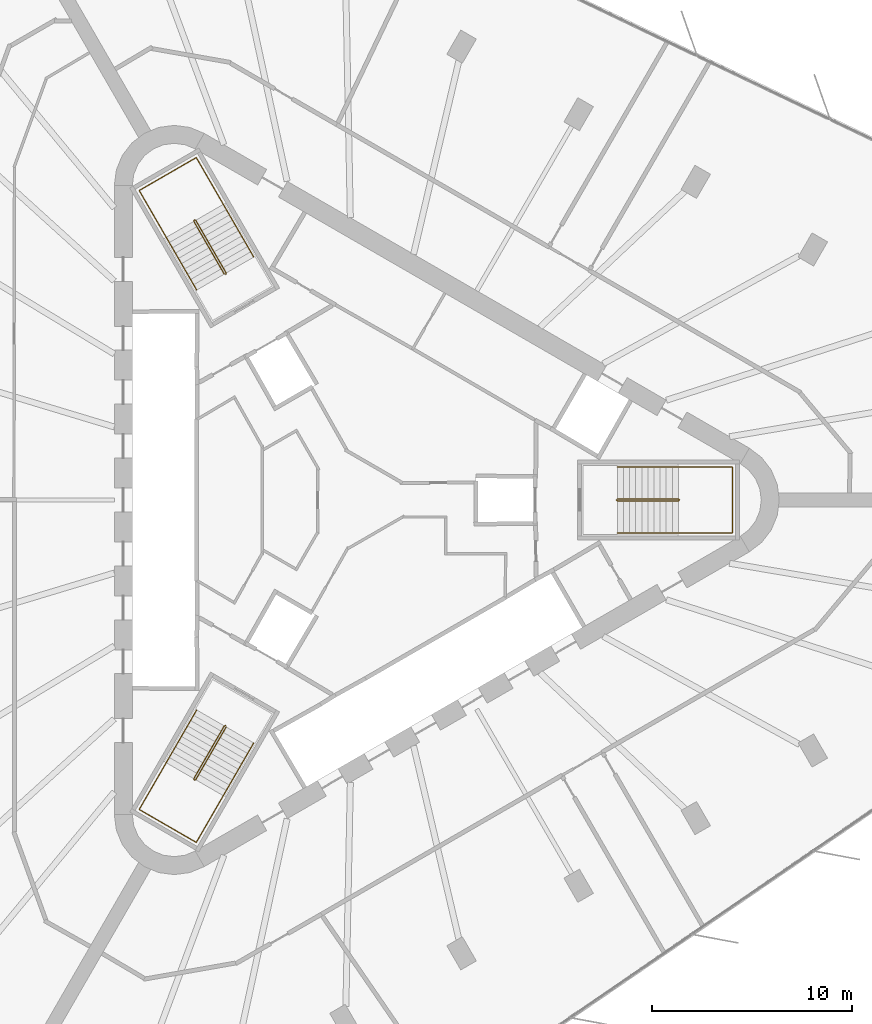
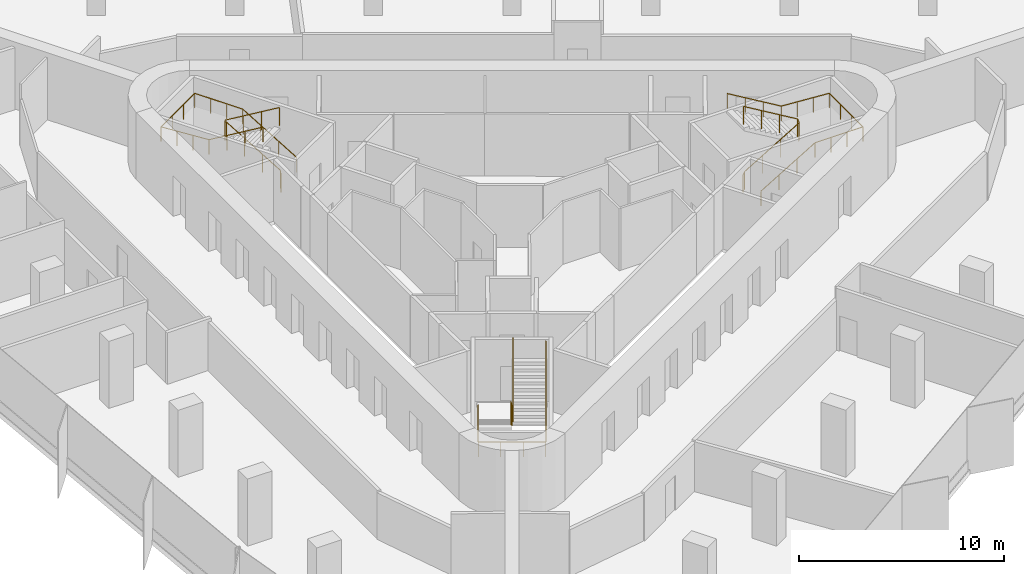
# One storey, part 13 of 13: 6 railings.
"""IFC4 building model written with IfcOpenShell, lengths in metres."""

from ifc_helpers import new_model, si_unit, direction, frame, origin, origin_2d, place, context, subcontext, project, spatial, circle, extrude, material, type_object, element, save


model = new_model("IFC4")

# Units and contexts
model_context = context("Model", 3, precision=1e-05, world=origin(), true_north=direction((0.0, 1.0)))
body_context = subcontext(model_context, "Body", "Model", "MODEL_VIEW")
ifc_project = project(units=[si_unit("LENGTHUNIT", "METRE"), si_unit("AREAUNIT", "SQUARE_METRE"), si_unit("VOLUMEUNIT", "CUBIC_METRE"), si_unit("PLANEANGLEUNIT", "RADIAN"), si_unit("MASSUNIT", "GRAM", prefix="KILO")], contexts=[model_context])

# Site, building, storey
site_placement = place(None, origin())
site = spatial("IfcSite", under=ifc_project, at=site_placement, CompositionType="ELEMENT")
building_placement = place(site_placement, origin())
building = spatial("IfcBuilding", under=site, at=building_placement, Name="Tanit Gate Tower", CompositionType="ELEMENT")
storey_placement = place(building_placement, frame((0.0, 0.0, 193.199951171875)))
storey = spatial("IfcBuildingStorey", under=building, at=storey_placement, Name="L42", CompositionType="ELEMENT", Elevation=193.199951171875)

# Railings
ifc_material_1 = material(Name="Stainless steel balustrade", Category="steel")
railing_type_1 = type_object("IfcRailingType", Name="INT-STAIR-GUARD", PredefinedType="GUARDRAIL", material=ifc_material_1)
railing_1_placement = place(storey_placement, frame((13.044921875, 0.0048828125, 0.0)))
element("IfcRailing", 1, at=railing_1_placement, inside=storey, type_object=railing_type_1, Name="L42 S1 stair guard 1", PredefinedType="GUARDRAIL", context=body_context, shape_type="SweptSolid", body=[
    extrude(circle(Radius=0.02392578125, at=origin_2d()), frame((0.0, 0.0, 1.076171875), z_axis=(0.0, -1.0, 0.0), x_axis=(1.0, 0.0, 0.0)), (0.0, 0.0, 1.0), 0.009765625),
    extrude(circle(Radius=0.02392578125, at=origin_2d()), frame((0.0, -0.009765625, 1.076171875), z_axis=(0.256435381639, -0.256435381639, 0.931923704005), x_axis=(0.707106781187, 0.707106781187, 0.0)), (0.0, 0.0, 1.0), 0.195068359375),
    extrude(circle(Radius=0.02392578125, at=origin_2d()), frame((0.050048828125, -0.059814453125, 1.2578125), z_axis=(0.859041732319, 0.0, 0.511905559781), x_axis=(0.0, 1.0, 0.0)), (0.0, 0.0, 1.0), 3.5517578125),
    extrude(circle(Radius=0.02392578125, at=origin_2d()), frame((3.10107421875, -0.059814453125, 3.076171875), z_axis=(0.707106781187, 0.707106781187, 0.0), x_axis=(-0.707106781187, 0.707106781187, 0.0)), (0.0, 0.0, 1.0), 0.07080078125),
    extrude(circle(Radius=0.02392578125, at=origin_2d()), frame((3.151123046875, -0.009765625, 3.076171875), z_axis=(0.0, 1.0, 0.0), x_axis=(-1.0, 0.0, 0.0)), (0.0, 0.0, 1.0), 0.009765625),
    extrude(circle(Radius=0.02392578125, at=origin_2d()), frame((3.151123046875, 0.0, 3.076171875), z_axis=(-0.256435381639, 0.256435381639, 0.931923704005), x_axis=(-0.707106781187, -0.707106781187, 0.0)), (0.0, 0.0, 1.0), 0.195068359375),
    extrude(circle(Radius=0.02392578125, at=origin_2d()), frame((3.10107421875, 0.050048828125, 3.2578125), z_axis=(-0.859041732319, 0.0, 0.511905559781), x_axis=(0.0, -1.0, 0.0)), (0.0, 0.0, 1.0), 3.5517578125),
    extrude(circle(Radius=0.02099609375, at=origin_2d()), origin(), (0.0, 0.0, 1.0), 1.052001953125),
    extrude(circle(Radius=0.02099609375, at=origin_2d()), frame((0.0, -0.009765625, 0.0)), (0.0, 0.0, 1.0), 1.052001953125),
    extrude(circle(Radius=0.02099609375, at=origin_2d()), frame((0.050048828125, -0.059814453125, 0.181884765625)), (0.0, 0.0, 1.0), 1.052001953125),
    extrude(circle(Radius=0.02099609375, at=origin_2d()), frame((1.067138671875, -0.059814453125, 0.787841796875)), (0.0, 0.0, 1.0), 1.052001953125),
    extrude(circle(Radius=0.02099609375, at=origin_2d()), frame((2.083984375, -0.059814453125, 1.39404296875)), (0.0, 0.0, 1.0), 1.052001953125),
    extrude(circle(Radius=0.02099609375, at=origin_2d()), frame((3.10107421875, -0.059814453125, 2.0)), (0.0, 0.0, 1.0), 1.052001953125),
    extrude(circle(Radius=0.02099609375, at=origin_2d()), frame((3.151123046875, -0.009765625, 2.0)), (0.0, 0.0, 1.0), 1.052001953125),
    extrude(circle(Radius=0.02099609375, at=origin_2d()), frame((3.151123046875, 0.0, 2.0)), (0.0, 0.0, 1.0), 1.052001953125),
    extrude(circle(Radius=0.02099609375, at=origin_2d()), frame((3.10107421875, 0.050048828125, 2.181884765625)), (0.0, 0.0, 1.0), 1.052001953125),
    extrude(circle(Radius=0.02099609375, at=origin_2d()), frame((2.083984375, 0.050048828125, 2.787841796875)), (0.0, 0.0, 1.0), 1.052001953125),
    extrude(circle(Radius=0.02099609375, at=origin_2d()), frame((1.067138671875, 0.050048828125, 3.39404296875)), (0.0, 0.0, 1.0), 1.052001953125),
    extrude(circle(Radius=0.02099609375, at=origin_2d()), frame((0.050048828125, 0.050048828125, 4.0)), (0.0, 0.0, 1.0), 1.052001953125),
])
railing_2_placement = place(storey_placement, frame((-6.527099609375, 11.29345703125, 0.0)))
element("IfcRailing", 2, at=railing_2_placement, inside=storey, type_object=railing_type_1, Name="L42 S2 stair guard 1", PredefinedType="GUARDRAIL", context=body_context, shape_type="SweptSolid", body=[
    extrude(circle(Radius=0.02392578125, at=origin_2d()), frame((0.0, 0.0, 1.076171875), z_axis=(0.868243142124, 0.496138938357, 0.0), x_axis=(-0.496138938357, 0.868243142124, 0.0)), (0.0, 0.0, 1.0), 0.01171875),
    extrude(circle(Radius=0.02392578125, at=origin_2d()), frame((0.01025390625, 0.005859375, 1.076171875), z_axis=(0.093819657636, 0.350260055175, 0.93194193252), x_axis=(-0.965948051503, 0.258736085224, 0.0)), (0.0, 0.0, 1.0), 0.195068359375),
    extrude(circle(Radius=0.02392578125, at=origin_2d()), frame((0.028564453125, 0.07421875, 1.2578125), z_axis=(-0.429472220917, 0.743822504634, 0.512134448226), x_axis=(-0.866012246495, -0.500022788402, 0.0)), (0.0, 0.0, 1.0), 3.550048828125),
    extrude(circle(Radius=0.02392578125, at=origin_2d()), frame((-1.49609375, 2.71484375, 3.076171875), z_axis=(-0.965715946433, 0.259601060869, 0.0), x_axis=(-0.259601060869, -0.965715946433, 0.0)), (0.0, 0.0, 1.0), 0.070556640625),
    extrude(circle(Radius=0.02392578125, at=origin_2d()), frame((-1.564208984375, 2.733154296875, 3.076171875), z_axis=(-0.873197702015, -0.487366159264, 0.0), x_axis=(0.487366159264, -0.873197702015, 0.0)), (0.0, 0.0, 1.0), 0.011962890625),
    extrude(circle(Radius=0.02392578125, at=origin_2d()), frame((-1.57470703125, 2.727294921875, 3.076171875), z_axis=(-0.093819657636, -0.350260055175, 0.93194193252), x_axis=(0.965948051503, -0.258736085224, 0.0)), (0.0, 0.0, 1.0), 0.195068359375),
    extrude(circle(Radius=0.02392578125, at=origin_2d()), frame((-1.593017578125, 2.658935546875, 3.2578125), z_axis=(0.429472220917, -0.743822504634, 0.512134448226), x_axis=(0.866012246495, 0.500022788402, 0.0)), (0.0, 0.0, 1.0), 3.550048828125),
    extrude(circle(Radius=0.02099609375, at=origin_2d()), origin(), (0.0, 0.0, 1.0), 1.052001953125),
    extrude(circle(Radius=0.02099609375, at=origin_2d()), frame((0.01025390625, 0.005859375, 0.0)), (0.0, 0.0, 1.0), 1.052001953125),
    extrude(circle(Radius=0.02099609375, at=origin_2d()), frame((0.028564453125, 0.07421875, 0.181884765625)), (0.0, 0.0, 1.0), 1.052001953125),
    extrude(circle(Radius=0.02099609375, at=origin_2d()), frame((-0.479736328125, 0.954345703125, 0.787841796875)), (0.0, 0.0, 1.0), 1.052001953125),
    extrude(circle(Radius=0.02099609375, at=origin_2d()), frame((-0.98779296875, 1.834716796875, 1.39404296875)), (0.0, 0.0, 1.0), 1.052001953125),
    extrude(circle(Radius=0.02099609375, at=origin_2d()), frame((-1.49609375, 2.71484375, 2.0)), (0.0, 0.0, 1.0), 1.052001953125),
    extrude(circle(Radius=0.02099609375, at=origin_2d()), frame((-1.564208984375, 2.733154296875, 2.0)), (0.0, 0.0, 1.0), 1.052001953125),
    extrude(circle(Radius=0.02099609375, at=origin_2d()), frame((-1.57470703125, 2.727294921875, 2.0)), (0.0, 0.0, 1.0), 1.052001953125),
    extrude(circle(Radius=0.02099609375, at=origin_2d()), frame((-1.593017578125, 2.658935546875, 2.181884765625)), (0.0, 0.0, 1.0), 1.052001953125),
    extrude(circle(Radius=0.02099609375, at=origin_2d()), frame((-1.084716796875, 1.77880859375, 2.787841796875)), (0.0, 0.0, 1.0), 1.052001953125),
    extrude(circle(Radius=0.02099609375, at=origin_2d()), frame((-0.57666015625, 0.8984375, 3.39404296875)), (0.0, 0.0, 1.0), 1.052001953125),
    extrude(circle(Radius=0.02099609375, at=origin_2d()), frame((-0.068359375, 0.018310546875, 4.0)), (0.0, 0.0, 1.0), 1.052001953125),
])
railing_3_placement = place(storey_placement, frame((-6.51806640625, -11.2998046875, 0.0)))
element("IfcRailing", 3, at=railing_3_placement, inside=storey, type_object=railing_type_1, Name="L42 S3 stair guard 1", PredefinedType="GUARDRAIL", context=body_context, shape_type="SweptSolid", body=[
    extrude(circle(Radius=0.02392578125, at=origin_2d()), frame((0.0, 0.0, 1.076171875), z_axis=(-0.874157276122, 0.485642931179, 0.0), x_axis=(-0.485642931179, -0.874157276122, 0.0)), (0.0, 0.0, 1.0), 0.010009765625),
    extrude(circle(Radius=0.02392578125, at=origin_2d()), frame((-0.0087890625, 0.0048828125, 1.076171875), z_axis=(-0.350300895388, -0.092579522353, 0.932050596658), x_axis=(0.255512919477, -0.966805641264, 0.0)), (0.0, 0.0, 1.0), 0.195068359375),
    extrude(circle(Radius=0.02392578125, at=origin_2d()), frame((-0.0771484375, -0.01318359375, 1.2578125), z_axis=(-0.429486674828, -0.743971555965, 0.511905772639), x_axis=(0.866048339477, -0.499960272111, 0.0)), (0.0, 0.0, 1.0), 3.5517578125),
    extrude(circle(Radius=0.02392578125, at=origin_2d()), frame((-1.6025390625, -2.655517578125, 3.076171875), z_axis=(0.258736085224, -0.965948051503, 0.0), x_axis=(0.965948051503, 0.258736085224, 0.0)), (0.0, 0.0, 1.0), 0.07080078125),
    extrude(circle(Radius=0.02392578125, at=origin_2d()), frame((-1.584228515625, -2.723876953125, 3.076171875), z_axis=(0.868243142124, -0.496138938357, 0.0), x_axis=(0.496138938357, 0.868243142124, 0.0)), (0.0, 0.0, 1.0), 0.009765625),
    extrude(circle(Radius=0.02392578125, at=origin_2d()), frame((-1.57568359375, -2.728759765625, 3.076171875), z_axis=(0.350260055175, 0.093819657636, 0.93194193252), x_axis=(-0.258736085224, 0.965948051503, 0.0)), (0.0, 0.0, 1.0), 0.195068359375),
    extrude(circle(Radius=0.02392578125, at=origin_2d()), frame((-1.50732421875, -2.71044921875, 3.2578125), z_axis=(0.429564698942, 0.743918894535, 0.511916836777), x_axis=(-0.865993683553, 0.500054937028, 0.0)), (0.0, 0.0, 1.0), 3.551513671875),
    extrude(circle(Radius=0.02099609375, at=origin_2d()), origin(), (0.0, 0.0, 1.0), 1.052001953125),
    extrude(circle(Radius=0.02099609375, at=origin_2d()), frame((-0.0087890625, 0.0048828125, 0.0)), (0.0, 0.0, 1.0), 1.052001953125),
    extrude(circle(Radius=0.02099609375, at=origin_2d()), frame((-0.0771484375, -0.01318359375, 0.181884765625)), (0.0, 0.0, 1.0), 1.052001953125),
    extrude(circle(Radius=0.02099609375, at=origin_2d()), frame((-0.585693359375, -0.89404296875, 0.787841796875)), (0.0, 0.0, 1.0), 1.052001953125),
    extrude(circle(Radius=0.02099609375, at=origin_2d()), frame((-1.093994140625, -1.774658203125, 1.39404296875)), (0.0, 0.0, 1.0), 1.052001953125),
    extrude(circle(Radius=0.02099609375, at=origin_2d()), frame((-1.6025390625, -2.655517578125, 2.0)), (0.0, 0.0, 1.0), 1.052001953125),
    extrude(circle(Radius=0.02099609375, at=origin_2d()), frame((-1.584228515625, -2.723876953125, 2.0)), (0.0, 0.0, 1.0), 1.052001953125),
    extrude(circle(Radius=0.02099609375, at=origin_2d()), frame((-1.57568359375, -2.728759765625, 2.0)), (0.0, 0.0, 1.0), 1.052001953125),
    extrude(circle(Radius=0.02099609375, at=origin_2d()), frame((-1.50732421875, -2.71044921875, 2.181884765625)), (0.0, 0.0, 1.0), 1.052001953125),
    extrude(circle(Radius=0.02099609375, at=origin_2d()), frame((-0.998779296875, -1.829833984375, 2.787841796875)), (0.0, 0.0, 1.0), 1.052001953125),
    extrude(circle(Radius=0.02099609375, at=origin_2d()), frame((-0.490234375, -0.948974609375, 3.39404296875)), (0.0, 0.0, 1.0), 1.052001953125),
    extrude(circle(Radius=0.02099609375, at=origin_2d()), frame((0.018310546875, -0.068359375, 4.0)), (0.0, 0.0, 1.0), 1.052001953125),
])
ifc_material_2 = material(Name="Stainless steel handrail", Category="steel")
railing_type_2 = type_object("IfcRailingType", Name="INT-STAIR-HANDRAIL", PredefinedType="HANDRAIL", material=ifc_material_2)
railing_4_placement = place(storey_placement, frame((13.094970703125, -1.64990234375, 0.181884765625)))
element("IfcRailing", 4, at=railing_4_placement, inside=storey, type_object=railing_type_2, Name="L42 S1 stair handrail 1", PredefinedType="HANDRAIL", context=body_context, shape_type="SweptSolid", body=[
    extrude(circle(Radius=0.02392578125, at=origin_2d()), frame((0.0, 0.0, 0.8759765625), z_axis=(0.859041732319, 0.0, 0.511905559781), x_axis=(0.0, 1.0, 0.0)), (0.0, 0.0, 1.0), 3.5517578125),
    extrude(circle(Radius=0.02392578125, at=origin_2d()), frame((3.051025390625, 0.0, 2.69384765625), z_axis=(1.0, 0.0, 0.0), x_axis=(0.0, 1.0, 0.0)), (0.0, 0.0, 1.0), 2.7041015625),
    extrude(circle(Radius=0.02392578125, at=origin_2d()), frame((5.755126953125, 0.0, 2.69384765625), z_axis=(0.0, 1.0, 0.0), x_axis=(-1.0, 0.0, 0.0)), (0.0, 0.0, 1.0), 3.2998046875),
    extrude(circle(Radius=0.02392578125, at=origin_2d()), frame((5.755126953125, 3.2998046875, 2.69384765625), z_axis=(-0.997745521698, 0.0, 0.067110907698), x_axis=(0.0, -1.0, 0.0)), (0.0, 0.0, 1.0), 2.710205078125),
    extrude(circle(Radius=0.02392578125, at=origin_2d()), frame((3.051025390625, 3.2998046875, 2.8759765625), z_axis=(-0.859041732319, 0.0, 0.511905559781), x_axis=(0.0, -1.0, 0.0)), (0.0, 0.0, 1.0), 3.5517578125),
    extrude(circle(Radius=0.02099609375, at=origin_2d()), origin(), (0.0, 0.0, 1.0), 0.851806640625),
    extrude(circle(Radius=0.02099609375, at=origin_2d()), frame((1.01708984375, 0.0, 0.60595703125)), (0.0, 0.0, 1.0), 0.851806640625),
    extrude(circle(Radius=0.02099609375, at=origin_2d()), frame((2.033935546875, 0.0, 1.212158203125)), (0.0, 0.0, 1.0), 0.851806640625),
    extrude(circle(Radius=0.02099609375, at=origin_2d()), frame((3.051025390625, 0.0, 1.818115234375)), (0.0, 0.0, 1.0), 0.851806640625),
    extrude(circle(Radius=0.02099609375, at=origin_2d()), frame((3.952392578125, 0.0, 1.818115234375)), (0.0, 0.0, 1.0), 0.851806640625),
    extrude(circle(Radius=0.02099609375, at=origin_2d()), frame((4.853759765625, 0.0, 1.818115234375)), (0.0, 0.0, 1.0), 0.851806640625),
    extrude(circle(Radius=0.02099609375, at=origin_2d()), frame((5.755126953125, 0.0, 1.818115234375)), (0.0, 0.0, 1.0), 0.851806640625),
    extrude(circle(Radius=0.02099609375, at=origin_2d()), frame((5.755126953125, 1.099853515625, 1.818115234375)), (0.0, 0.0, 1.0), 0.851806640625),
    extrude(circle(Radius=0.02099609375, at=origin_2d()), frame((5.755126953125, 2.199951171875, 1.818115234375)), (0.0, 0.0, 1.0), 0.851806640625),
    extrude(circle(Radius=0.02099609375, at=origin_2d()), frame((5.755126953125, 3.2998046875, 1.818115234375)), (0.0, 0.0, 1.0), 0.851806640625),
    extrude(circle(Radius=0.02099609375, at=origin_2d()), frame((4.853759765625, 3.2998046875, 1.878662109375)), (0.0, 0.0, 1.0), 0.851806640625),
    extrude(circle(Radius=0.02099609375, at=origin_2d()), frame((3.952392578125, 3.2998046875, 1.939453125)), (0.0, 0.0, 1.0), 0.851806640625),
    extrude(circle(Radius=0.02099609375, at=origin_2d()), frame((3.051025390625, 3.2998046875, 2.0)), (0.0, 0.0, 1.0), 0.851806640625),
    extrude(circle(Radius=0.02099609375, at=origin_2d()), frame((2.033935546875, 3.2998046875, 2.60595703125)), (0.0, 0.0, 1.0), 0.851806640625),
    extrude(circle(Radius=0.02099609375, at=origin_2d()), frame((1.01708984375, 3.2998046875, 3.212158203125)), (0.0, 0.0, 1.0), 0.851806640625),
    extrude(circle(Radius=0.02099609375, at=origin_2d()), frame((0.0, 3.2998046875, 3.818115234375)), (0.0, 0.0, 1.0), 0.851806640625),
])
railing_5_placement = place(storey_placement, frame((-5.1181640625, 12.164794921875, 0.181884765625)))
element("IfcRailing", 5, at=railing_5_placement, inside=storey, type_object=railing_type_2, Name="L42 S2 stair handrail 1", PredefinedType="HANDRAIL", context=body_context, shape_type="SweptSolid", body=[
    extrude(circle(Radius=0.02392578125, at=origin_2d()), frame((0.0, 0.0, 0.8759765625), z_axis=(-0.429416132344, 0.743844472684, 0.512149573602), x_axis=(-0.866046917185, -0.499962735845, 0.0)), (0.0, 0.0, 1.0), 3.550048828125),
    extrude(circle(Radius=0.02392578125, at=origin_2d()), frame((-1.5244140625, 2.640625, 2.69384765625), z_axis=(-0.500019123664, 0.86601436245, 0.0), x_axis=(-0.86601436245, -0.500019123664, 0.0)), (0.0, 0.0, 1.0), 2.70703125),
    extrude(circle(Radius=0.02392578125, at=origin_2d()), frame((-2.8779296875, 4.98486328125, 2.69384765625), z_axis=(-0.866008176907, -0.50002983664, 0.0), x_axis=(0.50002983664, -0.866008176907, 0.0)), (0.0, 0.0, 1.0), 3.300048828125),
    extrude(circle(Radius=0.02392578125, at=origin_2d()), frame((-5.73583984375, 3.334716796875, 2.69384765625), z_axis=(0.498932980467, -0.864043208057, 0.067046369128), x_axis=(0.865991810323, 0.500058181068, 0.0)), (0.0, 0.0, 1.0), 2.712890625),
    extrude(circle(Radius=0.02392578125, at=origin_2d()), frame((-4.38232421875, 0.99072265625, 2.8759765625), z_axis=(0.429450252752, -0.743853224023, 0.512108251761), x_axis=(0.866032263162, 0.499988119021, 0.0)), (0.0, 0.0, 1.0), 3.55029296875),
    extrude(circle(Radius=0.02099609375, at=origin_2d()), origin(), (0.0, 0.0, 1.0), 0.851806640625),
    extrude(circle(Radius=0.02099609375, at=origin_2d()), frame((-0.508056640625, 0.880126953125, 0.60595703125)), (0.0, 0.0, 1.0), 0.851806640625),
    extrude(circle(Radius=0.02099609375, at=origin_2d()), frame((-1.016357421875, 1.760498046875, 1.212158203125)), (0.0, 0.0, 1.0), 0.851806640625),
    extrude(circle(Radius=0.02099609375, at=origin_2d()), frame((-1.5244140625, 2.640625, 1.818115234375)), (0.0, 0.0, 1.0), 0.851806640625),
    extrude(circle(Radius=0.02099609375, at=origin_2d()), frame((-1.9755859375, 3.422119140625, 1.818115234375)), (0.0, 0.0, 1.0), 0.851806640625),
    extrude(circle(Radius=0.02099609375, at=origin_2d()), frame((-2.4267578125, 4.203369140625, 1.818115234375)), (0.0, 0.0, 1.0), 0.851806640625),
    extrude(circle(Radius=0.02099609375, at=origin_2d()), frame((-2.8779296875, 4.98486328125, 1.818115234375)), (0.0, 0.0, 1.0), 0.851806640625),
    extrude(circle(Radius=0.02099609375, at=origin_2d()), frame((-3.83056640625, 4.434814453125, 1.818115234375)), (0.0, 0.0, 1.0), 0.851806640625),
    extrude(circle(Radius=0.02099609375, at=origin_2d()), frame((-4.783203125, 3.884765625, 1.818115234375)), (0.0, 0.0, 1.0), 0.851806640625),
    extrude(circle(Radius=0.02099609375, at=origin_2d()), frame((-5.73583984375, 3.334716796875, 1.818115234375)), (0.0, 0.0, 1.0), 0.851806640625),
    extrude(circle(Radius=0.02099609375, at=origin_2d()), frame((-5.28466796875, 2.553466796875, 1.878662109375)), (0.0, 0.0, 1.0), 0.851806640625),
    extrude(circle(Radius=0.02099609375, at=origin_2d()), frame((-4.83349609375, 1.77197265625, 1.939453125)), (0.0, 0.0, 1.0), 0.851806640625),
    extrude(circle(Radius=0.02099609375, at=origin_2d()), frame((-4.38232421875, 0.99072265625, 2.0)), (0.0, 0.0, 1.0), 0.851806640625),
    extrude(circle(Radius=0.02099609375, at=origin_2d()), frame((-3.8740234375, 0.1103515625, 2.60595703125)), (0.0, 0.0, 1.0), 0.851806640625),
    extrude(circle(Radius=0.02099609375, at=origin_2d()), frame((-3.365966796875, -0.769775390625, 3.212158203125)), (0.0, 0.0, 1.0), 0.851806640625),
    extrude(circle(Radius=0.02099609375, at=origin_2d()), frame((-2.857666015625, -1.650146484375, 3.818115234375)), (0.0, 0.0, 1.0), 0.851806640625),
])
railing_6_placement = place(storey_placement, frame((-7.9765625, -10.515625, 0.181884765625)))
element("IfcRailing", 6, at=railing_6_placement, inside=storey, type_object=railing_type_2, Name="L42 S3 stair handrail 1", PredefinedType="HANDRAIL", context=body_context, shape_type="SweptSolid", body=[
    extrude(circle(Radius=0.02392578125, at=origin_2d()), frame((0.0, 0.0, 0.8759765625), z_axis=(-0.429486674828, -0.743971555965, 0.511905772639), x_axis=(0.866048339477, -0.499960272111, 0.0)), (0.0, 0.0, 1.0), 3.5517578125),
    extrude(circle(Radius=0.02392578125, at=origin_2d()), frame((-1.525390625, -2.642333984375, 2.69384765625), z_axis=(-0.50004290449, -0.866000631449, 0.0), x_axis=(0.866000631449, -0.50004290449, 0.0)), (0.0, 0.0, 1.0), 2.703857421875),
    extrude(circle(Radius=0.02392578125, at=origin_2d()), frame((-2.87744140625, -4.98388671875, 2.69384765625), z_axis=(0.866008176907, -0.50002983664, 0.0), x_axis=(0.50002983664, 0.866008176907, 0.0)), (0.0, 0.0, 1.0), 3.300048828125),
    extrude(circle(Radius=0.02392578125, at=origin_2d()), frame((-0.01953125, -6.634033203125, 2.69384765625), z_axis=(0.498876541924, 0.864070745781, 0.067111416348), x_axis=(-0.866023205937, 0.500003806764, 0.0)), (0.0, 0.0, 1.0), 2.710205078125),
    extrude(circle(Radius=0.02392578125, at=origin_2d()), frame((1.33251953125, -4.292236328125, 2.8759765625), z_axis=(0.429486674828, 0.743971555965, 0.511905772639), x_axis=(-0.866048339477, 0.499960272111, 0.0)), (0.0, 0.0, 1.0), 3.5517578125),
    extrude(circle(Radius=0.02099609375, at=origin_2d()), origin(), (0.0, 0.0, 1.0), 0.851806640625),
    extrude(circle(Radius=0.02099609375, at=origin_2d()), frame((-0.508544921875, -0.880859375, 0.60595703125)), (0.0, 0.0, 1.0), 0.851806640625),
    extrude(circle(Radius=0.02099609375, at=origin_2d()), frame((-1.016845703125, -1.761474609375, 1.212158203125)), (0.0, 0.0, 1.0), 0.851806640625),
    extrude(circle(Radius=0.02099609375, at=origin_2d()), frame((-1.525390625, -2.642333984375, 1.818115234375)), (0.0, 0.0, 1.0), 0.851806640625),
    extrude(circle(Radius=0.02099609375, at=origin_2d()), frame((-1.97607421875, -3.4228515625, 1.818115234375)), (0.0, 0.0, 1.0), 0.851806640625),
    extrude(circle(Radius=0.02099609375, at=origin_2d()), frame((-2.4267578125, -4.203369140625, 1.818115234375)), (0.0, 0.0, 1.0), 0.851806640625),
    extrude(circle(Radius=0.02099609375, at=origin_2d()), frame((-2.87744140625, -4.98388671875, 1.818115234375)), (0.0, 0.0, 1.0), 0.851806640625),
    extrude(circle(Radius=0.02099609375, at=origin_2d()), frame((-1.9248046875, -5.533935546875, 1.818115234375)), (0.0, 0.0, 1.0), 0.851806640625),
    extrude(circle(Radius=0.02099609375, at=origin_2d()), frame((-0.97216796875, -6.083984375, 1.818115234375)), (0.0, 0.0, 1.0), 0.851806640625),
    extrude(circle(Radius=0.02099609375, at=origin_2d()), frame((-0.01953125, -6.634033203125, 1.818115234375)), (0.0, 0.0, 1.0), 0.851806640625),
    extrude(circle(Radius=0.02099609375, at=origin_2d()), frame((0.43115234375, -5.853515625, 1.878662109375)), (0.0, 0.0, 1.0), 0.851806640625),
    extrude(circle(Radius=0.02099609375, at=origin_2d()), frame((0.8818359375, -5.07275390625, 1.939453125)), (0.0, 0.0, 1.0), 0.851806640625),
    extrude(circle(Radius=0.02099609375, at=origin_2d()), frame((1.33251953125, -4.292236328125, 2.0)), (0.0, 0.0, 1.0), 0.851806640625),
    extrude(circle(Radius=0.02099609375, at=origin_2d()), frame((1.841064453125, -3.411376953125, 2.60595703125)), (0.0, 0.0, 1.0), 0.851806640625),
    extrude(circle(Radius=0.02099609375, at=origin_2d()), frame((2.349365234375, -2.53076171875, 3.212158203125)), (0.0, 0.0, 1.0), 0.851806640625),
    extrude(circle(Radius=0.02099609375, at=origin_2d()), frame((2.85791015625, -1.64990234375, 3.818115234375)), (0.0, 0.0, 1.0), 0.851806640625),
])

save(model, "model.ifc")
